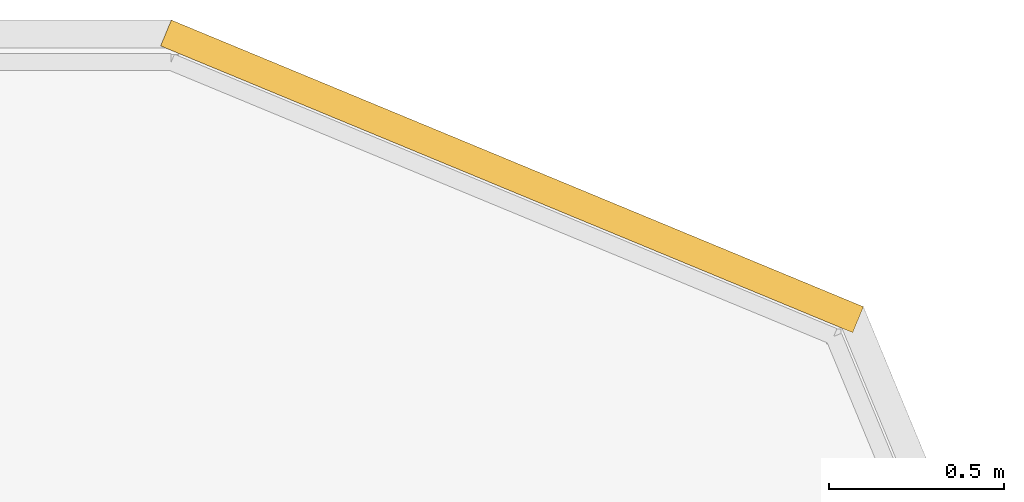
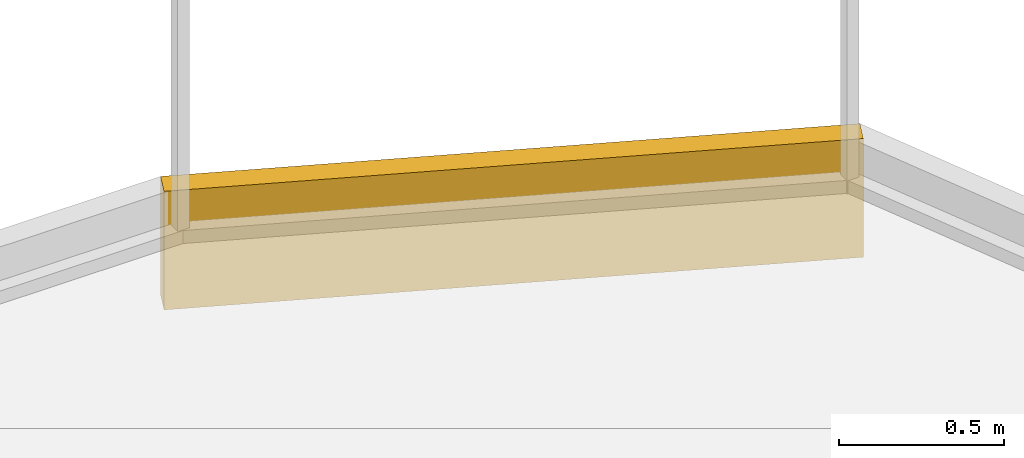
# One storey, part 14 of 14: 1 covering.
"""IFC4 building model written with IfcOpenShell, lengths in metres."""

from ifc_helpers import new_model, si_unit, direction, frame, frame_2d, origin, place, context, subcontext, project, spatial, rectangle, extrude, material, layer, layer_set, type_object, element, save


model = new_model("IFC4")

# Units and contexts
model_context = context("Model", 3, precision=1e-05, world=origin(), true_north=direction((0.0, 1.0)))
body_context = subcontext(model_context, "Body", "Model", "MODEL_VIEW")
ifc_project = project(units=[si_unit("LENGTHUNIT", "METRE"), si_unit("AREAUNIT", "SQUARE_METRE"), si_unit("VOLUMEUNIT", "CUBIC_METRE"), si_unit("PLANEANGLEUNIT", "RADIAN"), si_unit("MASSUNIT", "GRAM", prefix="KILO")], contexts=[model_context])

# Site, building, storey
site_placement = place(None, origin())
site = spatial("IfcSite", under=ifc_project, at=site_placement, CompositionType="ELEMENT")
building_placement = place(site_placement, origin())
building = spatial("IfcBuilding", under=site, at=building_placement, Name="Zulmaris Gate Convention Tower", CompositionType="ELEMENT")
storey_placement = place(building_placement, frame((0.0, 0.0, 102.06982421875)))
storey = spatial("IfcBuildingStorey", under=building, at=storey_placement, Name="L25", CompositionType="ELEMENT", Elevation=102.06982421875)

# Covering
ifc_material = material(Name="White Glazed Architectural Precast Concrete C40/50", Category="concrete")
ifc_layer = layer(ifc_material, 0.080078125, Name="White Glazed Architectural Precast Concrete C40/50")
ifc_layer_set = layer_set([ifc_layer], Name="White Glazed Architectural Precast Concrete C40/50")
covering_type = type_object("IfcCoveringType", Name="CLAD-TRAY-FASCIA", PredefinedType="CLADDING", material=ifc_layer_set)
covering_placement = place(storey_placement, frame((29.16455078125, 26.44287109375, -0.31494140625), z_axis=(0.0, 0.0, 1.0), x_axis=(-0.923873803533, 0.382697263049, 0.0)))
element("IfcCovering", 1, at=covering_placement, inside=storey, type_object=covering_type, Name="FSC-L25-TR-07", PredefinedType="CLADDING", context=body_context, shape_type="SweptSolid", body=[
    extrude(rectangle(XDim=2.142822265625, YDim=0.080078125, at=frame_2d((1.0712890625, 0.0))), origin(), (0.0, 0.0, 1.0), 0.43994140625),
])

save(model, "model.ifc")
